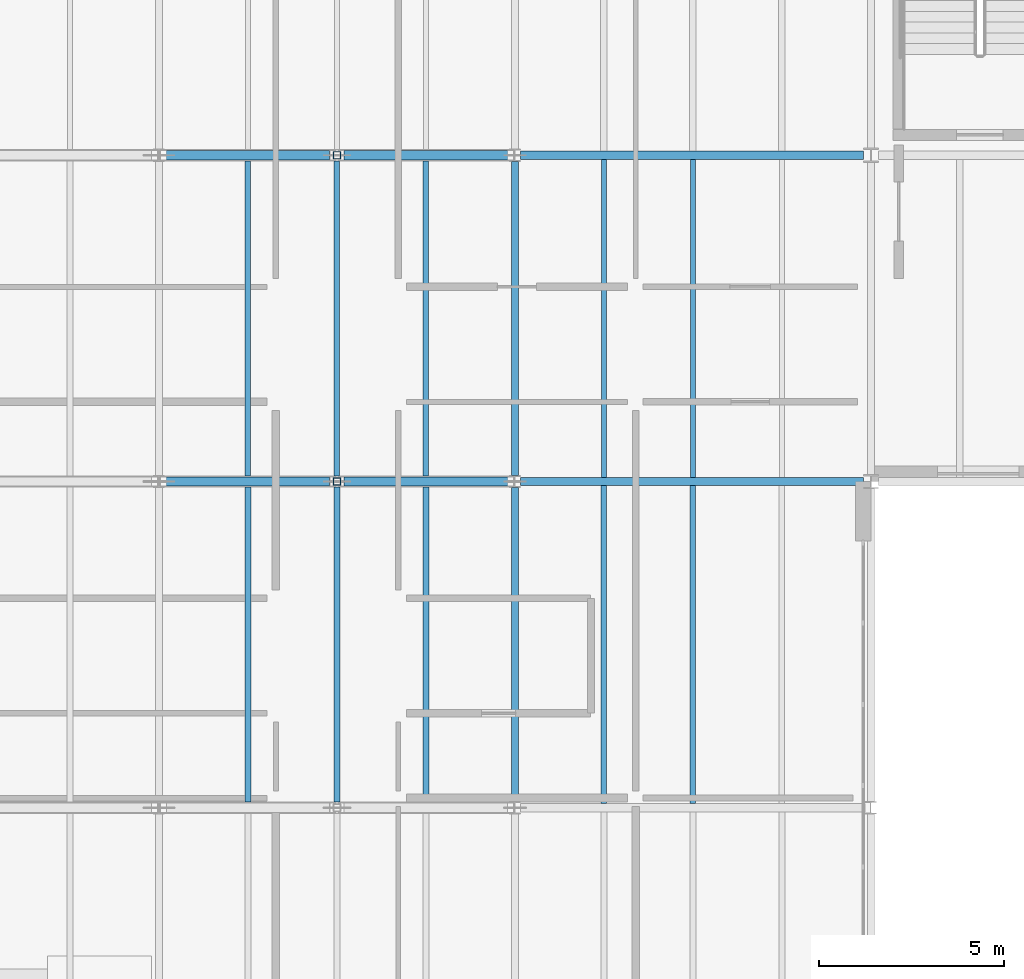
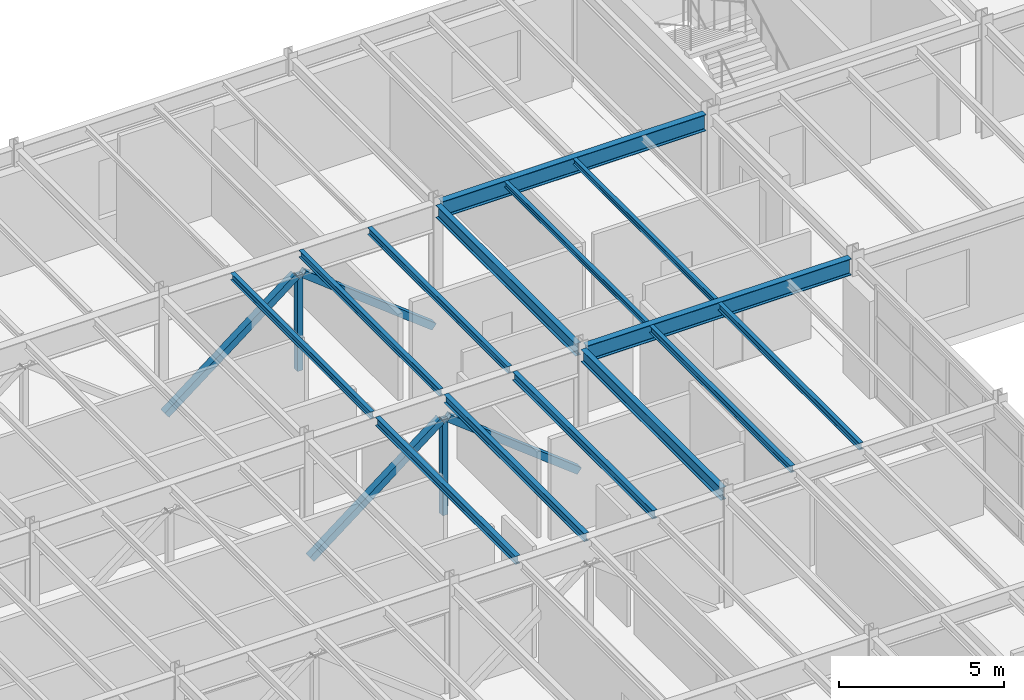
# One storey, part 33 of 88: 14 beams, 6 members.
"""IFC4 building model written with IfcOpenShell, lengths in metres."""

from ifc_helpers import new_model, si_unit, direction, frame, origin, origin_2d, place, context, subcontext, project, spatial, hollow_rectangle, i_section, extrude, material, material_profile, profile_set, type_object, element, save


model = new_model("IFC4")

# Units and contexts
model_context = context("Model", 3, precision=1e-05, world=origin(), true_north=direction((0.0, 1.0)))
body_context = subcontext(model_context, "Body", "Model", "MODEL_VIEW")
ifc_project = project(units=[si_unit("LENGTHUNIT", "METRE"), si_unit("AREAUNIT", "SQUARE_METRE"), si_unit("VOLUMEUNIT", "CUBIC_METRE"), si_unit("PLANEANGLEUNIT", "RADIAN"), si_unit("MASSUNIT", "GRAM", prefix="KILO")], contexts=[model_context])

# Site, building, storey
site_placement = place(None, origin())
site = spatial("IfcSite", under=ifc_project, at=site_placement, CompositionType="ELEMENT")
building_placement = place(site_placement, origin())
building = spatial("IfcBuilding", under=site, at=building_placement, Name="Sarnbrook Museum", CompositionType="ELEMENT")
storey_placement = place(building_placement, frame((0.0, 0.0, 10.10009765625)))
storey = spatial("IfcBuildingStorey", under=building, at=storey_placement, Name="L02", CompositionType="ELEMENT", Elevation=10.10009765625)

# Beams
ifc_material_1 = material(Name="Structural Steel Grade 300PLUS (AS/NZS 3679.1, fy = 280 MPa for 17 < t <= 40 mm, 300 MPa for t <= 17 mm)", Category="steel")
ifc_material_profile_1 = material_profile(ifc_material_1, i_section(OverallWidth=0.18994140625, OverallDepth=0.45703125, WebThickness=0.009033203125, FlangeThickness=0.014404296875, FilletRadius=0.011474609375, at=origin_2d()), Name="460UB74.6")
ifc_profile_set_1 = profile_set([ifc_material_profile_1], Name="Structural Steel Grade 300PLUS (AS/NZS 3679.1, fy = 280 MPa for 17 < t <= 40 mm, 300 MPa for t <= 17 mm)")
beam_type_1 = type_object("IfcBeamType", Name="BM-UB460", PredefinedType="BEAM", material=ifc_profile_set_1)
for number, where, z_axis, x_axis, name in (
    (1, (32.800048828125, 65.763427734375, 3.991455078125), (0.0, 1.0, 0.0), (-1.0, 0.0, 0.0), "Girder 4:H-J L02"),
    (2, (32.800048828125, 74.5634765625, 3.991455078125), (0.0, 1.0, 0.0), (-1.0, 0.0, 0.0), "Girder 4:J-K L02"),
):
    element("IfcBeam", number, at=place(storey_placement, frame(where, z_axis=z_axis, x_axis=x_axis)), inside=storey, type_object=beam_type_1, Name=name, PredefinedType="BEAM", context=body_context, shape_type="SweptSolid", body=[
        extrude(i_section(OverallWidth=0.18994140625, OverallDepth=0.45703125, WebThickness=0.009033203125, FlangeThickness=0.014404296875, FilletRadius=0.011474609375, at=origin_2d()), origin(), (0.0, 0.0, 1.0), 8.47314453125),
    ])
ifc_material_profile_2 = material_profile(ifc_material_1, i_section(OverallWidth=0.22802734375, OverallDepth=0.60693359375, WebThickness=0.01123046875, FlangeThickness=0.017333984375, FilletRadius=0.013916015625, at=origin_2d()), Name="610UB113")
ifc_profile_set_2 = profile_set([ifc_material_profile_2], Name="Structural Steel Grade 300PLUS (AS/NZS 3679.1, fy = 280 MPa for 17 < t <= 40 mm, 300 MPa for t <= 17 mm)")
beam_type_2 = type_object("IfcBeamType", Name="BM-UB610", PredefinedType="BEAM", material=ifc_profile_set_2)
for number, where, z_axis, x_axis, name in (
    (3, (32.95556640625, 74.39990234375, 3.91650390625), (1.0, 0.0, 0.0), (0.0, 1.0, 0.0), "Girder J:4-5 L02"),
    (4, (32.95556640625, 83.199951171875, 3.91650390625), (1.0, 0.0, 0.0), (0.0, 1.0, 0.0), "Girder K:4-5 L02"),
):
    element("IfcBeam", number, at=place(storey_placement, frame(where, z_axis=z_axis, x_axis=x_axis)), inside=storey, type_object=beam_type_2, Name=name, PredefinedType="BEAM", context=body_context, shape_type="SweptSolid", body=[
        extrude(i_section(OverallWidth=0.22802734375, OverallDepth=0.60693359375, WebThickness=0.01123046875, FlangeThickness=0.017333984375, FilletRadius=0.013916015625, at=origin_2d()), origin(), (0.0, 0.0, 1.0), 9.244384765625),
    ])

# Members
ifc_material_2 = material(Name="Structural Steel Hollow Section Grade C350L0 (AS/NZS 1163, fy = 350 MPa)", Category="steel")
ifc_material_profile_3 = material_profile(ifc_material_2, hollow_rectangle(XDim=0.199951171875, YDim=0.199951171875, WallThickness=0.010009765625, at=origin_2d()), Name="200x200x10.0SHS")
ifc_profile_set_3 = profile_set([ifc_material_profile_3], Name="Structural Steel Hollow Section Grade C350L0 (AS/NZS 1163, fy = 350 MPa)")
member_type_1 = type_object("IfcMemberType", Name="CH-SHS200", PredefinedType="CHORD", material=ifc_profile_set_3)
for number, where, z_axis, x_axis, name in (
    (5, (28.0, 74.39990234375, -0.300048828125), (0.0, 0.0, 1.0), (1.0, 0.0, 0.0), "Transfer Truss TT3 Web Post 1"),
    (6, (28.0, 83.199951171875, -0.300048828125), (0.0, 0.0, 1.0), (1.0, 0.0, 0.0), "Transfer Truss TT4 Web Post 1"),
):
    element("IfcMember", number, at=place(storey_placement, frame(where, z_axis=z_axis, x_axis=x_axis)), inside=storey, type_object=member_type_1, Name=name, PredefinedType="CHORD", context=body_context, shape_type="SweptSolid", body=[
        extrude(hollow_rectangle(XDim=0.199951171875, YDim=0.199951171875, WallThickness=0.010009765625, at=origin_2d()), origin(), (0.0, 0.0, 1.0), 3.5400390625),
    ])

# Beams
ifc_material_profile_4 = material_profile(ifc_material_1, i_section(OverallWidth=0.134033203125, OverallDepth=0.20703125, WebThickness=0.00634765625, FlangeThickness=0.009521484375, FilletRadius=0.0087890625, at=origin_2d()), Name="200UB29.8")
ifc_profile_set_4 = profile_set([ifc_material_profile_4], Name="Structural Steel Grade 300PLUS (AS/NZS 3679.1, fy = 280 MPa for 17 < t <= 40 mm, 300 MPa for t <= 17 mm)")
beam_type_3 = type_object("IfcBeamType", Name="JS-UB200", PredefinedType="JOIST", material=ifc_profile_set_4)
for number, where, z_axis, x_axis, name in (
    (7, (35.199951171875, 74.513916015625, 4.116455078125), (0.0, 1.0, 0.0), (-1.0, 0.0, 0.0), "Composite Floor Joist 4J-1 L02"),
    (8, (37.60009765625, 74.513916015625, 4.116455078125), (0.0, 1.0, 0.0), (-1.0, 0.0, 0.0), "Composite Floor Joist 4J-2 L02"),
):
    element("IfcBeam", number, at=place(storey_placement, frame(where, z_axis=z_axis, x_axis=x_axis)), inside=storey, type_object=beam_type_3, Name=name, PredefinedType="JOIST", context=body_context, shape_type="SweptSolid", body=[
        extrude(i_section(OverallWidth=0.134033203125, OverallDepth=0.20703125, WebThickness=0.00634765625, FlangeThickness=0.009521484375, FilletRadius=0.0087890625, at=origin_2d()), origin(), (0.0, 0.0, 1.0), 8.572021484375),
    ])
ifc_material_profile_5 = material_profile(ifc_material_1, i_section(OverallWidth=0.14599609375, OverallDepth=0.256103515625, WebThickness=0.00634765625, FlangeThickness=0.010986328125, FilletRadius=0.0087890625, at=origin_2d()), Name="250UB37.3")
ifc_profile_set_5 = profile_set([ifc_material_profile_5], Name="Structural Steel Grade 300PLUS (AS/NZS 3679.1, fy = 280 MPa for 17 < t <= 40 mm, 300 MPa for t <= 17 mm)")
beam_type_4 = type_object("IfcBeamType", Name="JS-UB250", PredefinedType="JOIST", material=ifc_profile_set_5)
for number, where, z_axis, x_axis, name in (
    (9, (25.60009765625, 74.550048828125, 4.091796875), (0.0, 1.0, 0.0), (-1.0, 0.0, 0.0), "Composite Floor Joist 3J-1 L02"),
    (10, (28.0, 74.550048828125, 4.091796875), (0.0, 1.0, 0.0), (-1.0, 0.0, 0.0), "Composite Floor Joist 3J-2 L02"),
    (11, (30.39990234375, 74.550048828125, 4.091796875), (0.0, 1.0, 0.0), (-1.0, 0.0, 0.0), "Composite Floor Joist 3J-3 L02"),
):
    element("IfcBeam", number, at=place(storey_placement, frame(where, z_axis=z_axis, x_axis=x_axis)), inside=storey, type_object=beam_type_4, Name=name, PredefinedType="JOIST", context=body_context, shape_type="SweptSolid", body=[
        extrude(i_section(OverallWidth=0.14599609375, OverallDepth=0.256103515625, WebThickness=0.00634765625, FlangeThickness=0.010986328125, FilletRadius=0.0087890625, at=origin_2d()), origin(), (0.0, 0.0, 1.0), 8.5),
    ])
for number, where, z_axis, x_axis, name in (
    (12, (35.199951171875, 65.714111328125, 4.091796875), (0.0, 1.0, 0.0), (-1.0, 0.0, 0.0), "Composite Floor Joist 4H-1 L02"),
    (13, (37.60009765625, 65.714111328125, 4.091796875), (0.0, 1.0, 0.0), (-1.0, 0.0, 0.0), "Composite Floor Joist 4H-2 L02"),
):
    element("IfcBeam", number, at=place(storey_placement, frame(where, z_axis=z_axis, x_axis=x_axis)), inside=storey, type_object=beam_type_4, Name=name, PredefinedType="JOIST", context=body_context, shape_type="SweptSolid", body=[
        extrude(i_section(OverallWidth=0.14599609375, OverallDepth=0.256103515625, WebThickness=0.00634765625, FlangeThickness=0.010986328125, FilletRadius=0.0087890625, at=origin_2d()), origin(), (0.0, 0.0, 1.0), 8.57177734375),
    ])
ifc_material_profile_6 = material_profile(ifc_material_1, i_section(OverallWidth=0.1650390625, OverallDepth=0.303955078125, WebThickness=0.006103515625, FlangeThickness=0.01025390625, FilletRadius=0.011474609375, at=origin_2d()), Name="310UB40.4")
ifc_profile_set_6 = profile_set([ifc_material_profile_6], Name="Structural Steel Grade 300PLUS (AS/NZS 3679.1, fy = 280 MPa for 17 < t <= 40 mm, 300 MPa for t <= 17 mm)")
beam_type_5 = type_object("IfcBeamType", Name="JS-UB310", PredefinedType="JOIST", material=ifc_profile_set_6)
for number, where, z_axis, x_axis, name in (
    (14, (25.60009765625, 65.75, 4.06787109375), (0.0, 1.0, 0.0), (-1.0, 0.0, 0.0), "Composite Floor Joist 3H-1 L02"),
    (15, (28.0, 65.75, 4.06787109375), (0.0, 1.0, 0.0), (-1.0, 0.0, 0.0), "Composite Floor Joist 3H-2 L02"),
    (16, (30.39990234375, 65.75, 4.06787109375), (0.0, 1.0, 0.0), (-1.0, 0.0, 0.0), "Composite Floor Joist 3H-3 L02"),
):
    element("IfcBeam", number, at=place(storey_placement, frame(where, z_axis=z_axis, x_axis=x_axis)), inside=storey, type_object=beam_type_5, Name=name, PredefinedType="JOIST", context=body_context, shape_type="SweptSolid", body=[
        extrude(i_section(OverallWidth=0.1650390625, OverallDepth=0.303955078125, WebThickness=0.006103515625, FlangeThickness=0.01025390625, FilletRadius=0.011474609375, at=origin_2d()), origin(), (0.0, 0.0, 1.0), 8.5),
    ])

# Members
ifc_material_profile_7 = material_profile(ifc_material_2, hollow_rectangle(XDim=0.25, YDim=0.25, WallThickness=0.012451171875, at=origin_2d()), Name="250x250x12.5SHS")
ifc_profile_set_7 = profile_set([ifc_material_profile_7], Name="Structural Steel Hollow Section Grade C350L0 (AS/NZS 1163, fy = 350 MPa)")
member_type_2 = type_object("IfcMemberType", Name="MB-SHS250", PredefinedType="BRACE", material=ifc_profile_set_7)
for number, where, z_axis, x_axis, name in (
    (17, (32.679931640625, 74.39990234375, -0.300048828125), (-0.789896178553, 0.0, 0.613240594797), (0.0, -1.0, 0.0), "Transfer Truss TT3 Web Diagonal 1"),
    (18, (27.8798828125, 74.39990234375, 3.239990234375), (-0.789896178553, 0.0, -0.613240594797), (0.0, -1.0, 0.0), "Transfer Truss TT3 Web Diagonal 2"),
    (19, (32.679931640625, 83.199951171875, -0.300048828125), (-0.789896178553, 0.0, 0.613240594797), (0.0, -1.0, 0.0), "Transfer Truss TT4 Web Diagonal 1"),
    (20, (27.8798828125, 83.199951171875, 3.239990234375), (-0.789896178553, 0.0, -0.613240594797), (0.0, -1.0, 0.0), "Transfer Truss TT4 Web Diagonal 2"),
):
    element("IfcMember", number, at=place(storey_placement, frame(where, z_axis=z_axis, x_axis=x_axis)), inside=storey, type_object=member_type_2, Name=name, PredefinedType="BRACE", context=body_context, shape_type="SweptSolid", body=[
        extrude(hollow_rectangle(XDim=0.25, YDim=0.25, WallThickness=0.012451171875, at=origin_2d()), origin(), (0.0, 0.0, 1.0), 5.772705078125),
    ])

save(model, "model.ifc")
